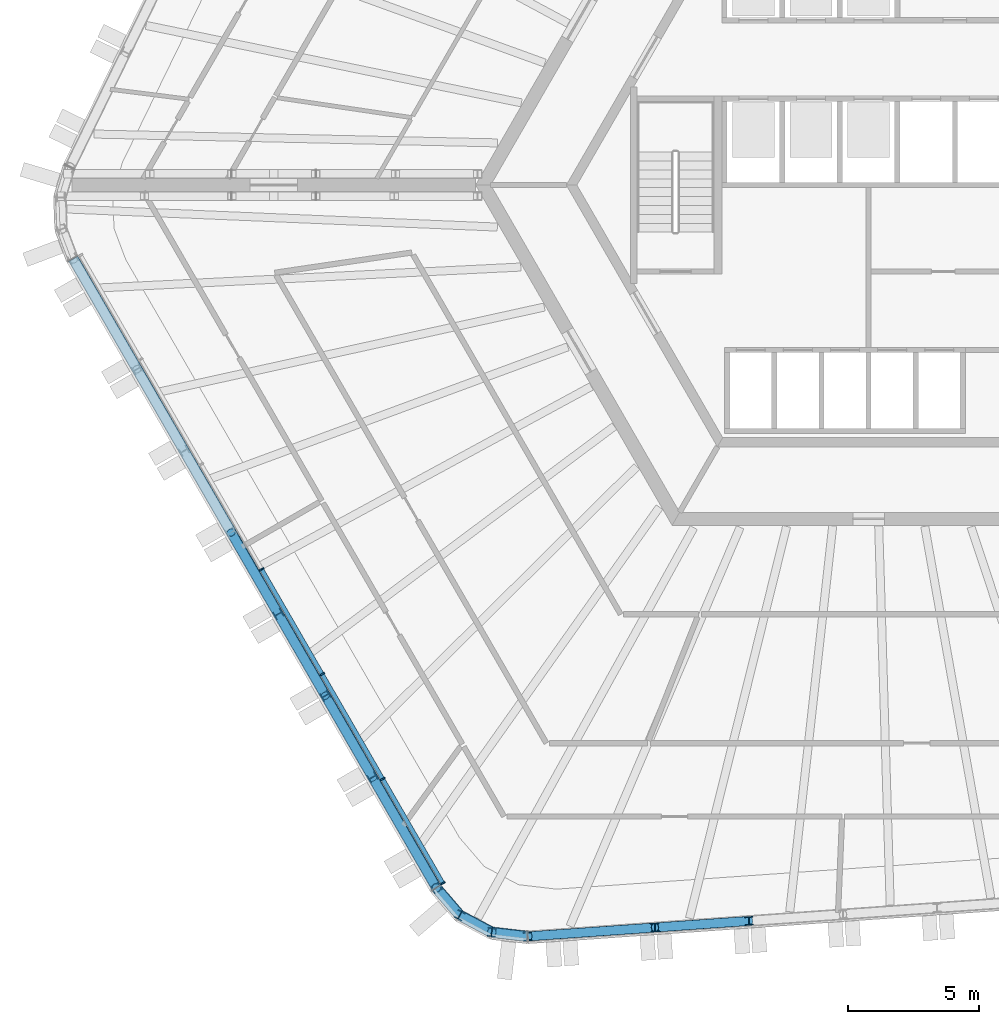
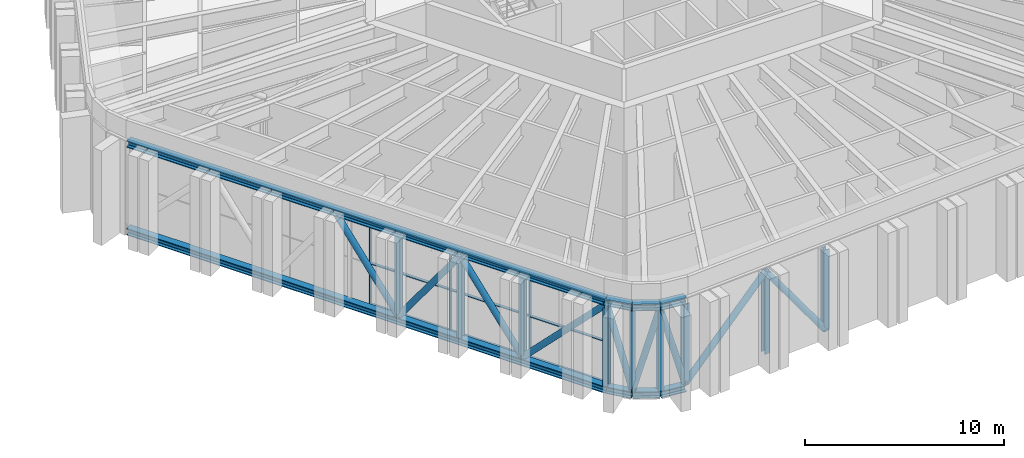
# One storey, part 1 of 24: 39 members, 1 element without a shape of its own.
"""IFC4 building model written with IfcOpenShell, lengths in metres."""

from ifc_helpers import new_model, si_unit, direction, frame, origin, origin_2d, place, context, subcontext, project, spatial, rectangle, hollow_circle, i_section, extrude, material, material_profile, profile_set, type_object, element, aggregate, save


model = new_model("IFC4")

# Units and contexts
model_context = context("Model", 3, precision=1e-05, world=origin(), true_north=direction((0.0, 1.0)))
body_context = subcontext(model_context, "Body", "Model", "MODEL_VIEW")
ifc_project = project(units=[si_unit("LENGTHUNIT", "METRE"), si_unit("AREAUNIT", "SQUARE_METRE"), si_unit("VOLUMEUNIT", "CUBIC_METRE"), si_unit("PLANEANGLEUNIT", "RADIAN"), si_unit("MASSUNIT", "GRAM", prefix="KILO")], contexts=[model_context])

# Site, building, storey
site_placement = place(None, origin())
site = spatial("IfcSite", under=ifc_project, at=site_placement, CompositionType="ELEMENT")
building_placement = place(site_placement, origin())
building = spatial("IfcBuilding", under=site, at=building_placement, Name="Tarnside Tower", CompositionType="ELEMENT")
storey_placement = place(building_placement, frame((0.0, 0.0, 250.199951171875)))
storey = spatial("IfcBuildingStorey", under=building, at=storey_placement, Name="L60", CompositionType="ELEMENT", Elevation=250.199951171875)

# Curtain wall, members
ifc_material_1 = material(Name="Sky lobby glazing wall", Category="glass")
curtain_wall_type = type_object("IfcCurtainWallType", Name="Sky lobby glazing wall", PredefinedType="NOTDEFINED", material=ifc_material_1)
curtain_wall_placement = place(storey_placement, origin())
curtain_wall = element("IfcCurtainWall", 1, at=curtain_wall_placement, inside=storey, type_object=curtain_wall_type, Name="Sky lobby glazing L60 F3", PredefinedType="NOTDEFINED")
ifc_material_2 = material(Name="Aluminium alloy 6063", Category="aluminium")
ifc_material_profile_1 = material_profile(ifc_material_2, rectangle(XDim=0.199951171875, YDim=0.06005859375, at=origin_2d()), Name="Sky lobby glazing mullion 60 x 200")
ifc_profile_set_1 = profile_set([ifc_material_profile_1], Name="Aluminium alloy 6063")
member_type_1 = type_object("IfcMemberType", Name="Sky lobby glazing mullion 60 x 200", PredefinedType="MULLION", material=ifc_profile_set_1)
member_1_placement = place(storey_placement, frame((-23.188720703125, -14.678955078125, 0.0), z_axis=(0.0, 0.0, 1.0), x_axis=(0.866025403784, 0.5, 0.0)))
member_1 = element("IfcMember", 2, at=member_1_placement, type_object=member_type_1, Name="CW4 mullion 4", PredefinedType="MULLION", context=body_context, shape_type="SweptSolid", body=[
    extrude(rectangle(XDim=0.199951171875, YDim=0.06005859375, at=origin_2d()), origin(), (0.0, 0.0, 1.0), 5.0810546875),
])
member_2_placement = place(storey_placement, frame((-20.87548828125, -18.685302734375, 0.0), z_axis=(0.0, 0.0, 1.0), x_axis=(0.866025403784, 0.5, 0.0)))
member_2 = element("IfcMember", 3, at=member_2_placement, type_object=member_type_1, Name="CW4 mullion 5", PredefinedType="MULLION", context=body_context, shape_type="SweptSolid", body=[
    extrude(rectangle(XDim=0.199951171875, YDim=0.06005859375, at=origin_2d()), origin(), (0.0, 0.0, 1.0), 5.0810546875),
])
member_3_placement = place(storey_placement, frame((-18.5625, -22.69189453125, 0.0), z_axis=(0.0, 0.0, 1.0), x_axis=(0.866025403784, 0.5, 0.0)))
member_3 = element("IfcMember", 4, at=member_3_placement, type_object=member_type_1, Name="CW4 mullion 6", PredefinedType="MULLION", context=body_context, shape_type="SweptSolid", body=[
    extrude(rectangle(XDim=0.199951171875, YDim=0.06005859375, at=origin_2d()), origin(), (0.0, 0.0, 1.0), 5.0810546875),
])
member_4_placement = place(storey_placement, frame((-16.264404296875, -26.67236328125, 0.0), z_axis=(0.0, 0.0, 1.0), x_axis=(0.866025403784, 0.5, 0.0)))
member_4 = element("IfcMember", 5, at=member_4_placement, type_object=member_type_1, Name="CW4 mullion 7", PredefinedType="MULLION", context=body_context, shape_type="SweptSolid", body=[
    extrude(rectangle(XDim=0.199951171875, YDim=0.06005859375, at=origin_2d()), origin(), (0.0, 0.0, 1.0), 5.0810546875),
])
ifc_material_profile_2 = material_profile(ifc_material_2, rectangle(XDim=0.159912109375, YDim=0.06005859375, at=origin_2d()), Name="Sky lobby glazing transom 60 x 160")
ifc_profile_set_2 = profile_set([ifc_material_profile_2], Name="Aluminium alloy 6063")
member_type_2 = type_object("IfcMemberType", Name="Sky lobby glazing transom 60 x 160", PredefinedType="USERDEFINED", material=ifc_profile_set_2)
member_5_placement = place(storey_placement, frame((-23.173828125, -14.704833984375, 0.030029296875), z_axis=(0.500003221507, -0.866023543838, 0.0), x_axis=(0.866023543838, 0.500003221507, 0.0)))
member_5 = element("IfcMember", 6, at=member_5_placement, type_object=member_type_2, Name="CW4 transom 4.1", ObjectType="TRANSOM", PredefinedType="USERDEFINED", context=body_context, shape_type="SweptSolid", body=[
    extrude(rectangle(XDim=0.159912109375, YDim=0.06005859375, at=origin_2d()), origin(), (0.0, 0.0, 1.0), 4.56640625),
])
member_6_placement = place(storey_placement, frame((-23.173828125, -14.704833984375, 2.54052734375), z_axis=(0.500003221507, -0.866023543838, 0.0), x_axis=(0.866023543838, 0.500003221507, 0.0)))
member_6 = element("IfcMember", 7, at=member_6_placement, type_object=member_type_2, Name="CW4 transom 4.2", ObjectType="TRANSOM", PredefinedType="USERDEFINED", context=body_context, shape_type="SweptSolid", body=[
    extrude(rectangle(XDim=0.159912109375, YDim=0.06005859375, at=origin_2d()), origin(), (0.0, 0.0, 1.0), 4.56640625),
])
member_7_placement = place(storey_placement, frame((-23.173828125, -14.704833984375, 5.051025390625), z_axis=(0.500003221507, -0.866023543838, 0.0), x_axis=(0.866023543838, 0.500003221507, 0.0)))
member_7 = element("IfcMember", 8, at=member_7_placement, type_object=member_type_2, Name="CW4 transom 4.3", ObjectType="TRANSOM", PredefinedType="USERDEFINED", context=body_context, shape_type="SweptSolid", body=[
    extrude(rectangle(XDim=0.159912109375, YDim=0.06005859375, at=origin_2d()), origin(), (0.0, 0.0, 1.0), 4.56640625),
])
member_8_placement = place(storey_placement, frame((-20.860595703125, -18.71142578125, 0.030029296875), z_axis=(0.500003221507, -0.866023543838, 0.0), x_axis=(0.866023543838, 0.500003221507, 0.0)))
member_8 = element("IfcMember", 9, at=member_8_placement, type_object=member_type_2, Name="CW4 transom 5.1", ObjectType="TRANSOM", PredefinedType="USERDEFINED", context=body_context, shape_type="SweptSolid", body=[
    extrude(rectangle(XDim=0.159912109375, YDim=0.06005859375, at=origin_2d()), origin(), (0.0, 0.0, 1.0), 4.56640625),
])
member_9_placement = place(storey_placement, frame((-20.860595703125, -18.71142578125, 2.54052734375), z_axis=(0.500003221507, -0.866023543838, 0.0), x_axis=(0.866023543838, 0.500003221507, 0.0)))
member_9 = element("IfcMember", 10, at=member_9_placement, type_object=member_type_2, Name="CW4 transom 5.2", ObjectType="TRANSOM", PredefinedType="USERDEFINED", context=body_context, shape_type="SweptSolid", body=[
    extrude(rectangle(XDim=0.159912109375, YDim=0.06005859375, at=origin_2d()), origin(), (0.0, 0.0, 1.0), 4.56640625),
])
member_10_placement = place(storey_placement, frame((-20.860595703125, -18.71142578125, 5.051025390625), z_axis=(0.500003221507, -0.866023543838, 0.0), x_axis=(0.866023543838, 0.500003221507, 0.0)))
member_10 = element("IfcMember", 11, at=member_10_placement, type_object=member_type_2, Name="CW4 transom 5.3", ObjectType="TRANSOM", PredefinedType="USERDEFINED", context=body_context, shape_type="SweptSolid", body=[
    extrude(rectangle(XDim=0.159912109375, YDim=0.06005859375, at=origin_2d()), origin(), (0.0, 0.0, 1.0), 4.56640625),
])
member_11_placement = place(storey_placement, frame((-18.54736328125, -22.7177734375, 0.030029296875), z_axis=(0.499970916434, -0.866042194538, 0.0), x_axis=(0.866042194538, 0.499970916434, 0.0)))
member_11 = element("IfcMember", 12, at=member_11_placement, type_object=member_type_2, Name="CW4 transom 6.1", ObjectType="TRANSOM", PredefinedType="USERDEFINED", context=body_context, shape_type="SweptSolid", body=[
    extrude(rectangle(XDim=0.159912109375, YDim=0.06005859375, at=origin_2d()), origin(), (0.0, 0.0, 1.0), 4.536376953125),
])
member_12_placement = place(storey_placement, frame((-18.54736328125, -22.7177734375, 2.54052734375), z_axis=(0.499970916434, -0.866042194538, 0.0), x_axis=(0.866042194538, 0.499970916434, 0.0)))
member_12 = element("IfcMember", 13, at=member_12_placement, type_object=member_type_2, Name="CW4 transom 6.2", ObjectType="TRANSOM", PredefinedType="USERDEFINED", context=body_context, shape_type="SweptSolid", body=[
    extrude(rectangle(XDim=0.159912109375, YDim=0.06005859375, at=origin_2d()), origin(), (0.0, 0.0, 1.0), 4.536376953125),
])
member_13_placement = place(storey_placement, frame((-18.54736328125, -22.7177734375, 5.051025390625), z_axis=(0.499970916434, -0.866042194538, 0.0), x_axis=(0.866042194538, 0.499970916434, 0.0)))
member_13 = element("IfcMember", 14, at=member_13_placement, type_object=member_type_2, Name="CW4 transom 6.3", ObjectType="TRANSOM", PredefinedType="USERDEFINED", context=body_context, shape_type="SweptSolid", body=[
    extrude(rectangle(XDim=0.159912109375, YDim=0.06005859375, at=origin_2d()), origin(), (0.0, 0.0, 1.0), 4.536376953125),
])
aggregate(curtain_wall, [member_1, member_2, member_3, member_4, member_5, member_6, member_7, member_8, member_9, member_10, member_11, member_12, member_13])

# Members
ifc_material_3 = material(Name="Steel S355", Category="steel")
ifc_material_profile_3 = material_profile(ifc_material_3, i_section(OverallWidth=0.403076171875, OverallDepth=0.406494140625, WebThickness=0.026611328125, FlangeThickness=0.04296875, FilletRadius=0.01513671875, at=origin_2d()), Name="UC 356x406x340")
ifc_profile_set_3 = profile_set([ifc_material_profile_3], Name="Steel S355")
member_type_3 = type_object("IfcMemberType", Name="Truss chord UC 356x406x340", PredefinedType="CHORD", material=ifc_profile_set_3)
member_14_placement = place(storey_placement, frame((-30.39111328125, -2.81103515625, -0.0966796875), z_axis=(0.499998569178, -0.866026229868, 0.0), x_axis=(0.866026229868, 0.499998569178, 0.0)))
element("IfcMember", 15, at=member_14_placement, inside=storey, type_object=member_type_3, Name="Belt truss bottom chord L60 run", PredefinedType="CHORD", context=body_context, shape_type="SweptSolid", body=[
    extrude(i_section(OverallWidth=0.403076171875, OverallDepth=0.406494140625, WebThickness=0.026611328125, FlangeThickness=0.04296875, FilletRadius=0.01513671875, at=origin_2d()), origin(), (0.0, 0.0, 1.0), 27.7578125),
])
for number, where, z_axis, x_axis, name in (
    (16, (-16.51220703125, -26.85009765625, -0.0966796875), (0.651709457909, -0.75846870896, 0.0), (0.75846870896, 0.651709457909, 0.0), "Belt truss bottom chord L60 corner3.1"),
    (17, (-15.613525390625, -27.89599609375, -0.0966796875), (0.882920799987, -0.469521949381, 0.0), (0.469521949381, 0.882920799987, 0.0), "Belt truss bottom chord L60 corner3.2"),
    (18, (-14.39599609375, -28.54345703125, -0.0966796875), (0.993232537394, -0.11614269956, 0.0), (0.11614269956, 0.993232537394, 0.0), "Belt truss bottom chord L60 corner3.3"),
):
    element("IfcMember", number, at=place(storey_placement, frame(where, z_axis=z_axis, x_axis=x_axis)), inside=storey, type_object=member_type_3, Name=name, PredefinedType="CHORD", context=body_context, shape_type="SweptSolid", body=[
        extrude(i_section(OverallWidth=0.403076171875, OverallDepth=0.406494140625, WebThickness=0.026611328125, FlangeThickness=0.04296875, FilletRadius=0.01513671875, at=origin_2d()), origin(), (0.0, 0.0, 1.0), 1.37890625),
    ])
ifc_material_profile_4 = material_profile(ifc_material_3, i_section(OverallWidth=0.406982421875, OverallDepth=0.4189453125, WebThickness=0.030517578125, FlangeThickness=0.04931640625, FilletRadius=0.01513671875, at=origin_2d()), Name="UC 356x406x393")
ifc_profile_set_4 = profile_set([ifc_material_profile_4], Name="Steel S355")
member_type_4 = type_object("IfcMemberType", Name="Truss chord UC 356x406x393", PredefinedType="CHORD", material=ifc_profile_set_4)
member_15_placement = place(storey_placement, frame((-30.39111328125, -2.81103515625, 5.29052734375), z_axis=(0.499998569178, -0.866026229868, 0.0), x_axis=(0.866026229868, 0.499998569178, 0.0)))
element("IfcMember", 19, at=member_15_placement, inside=storey, type_object=member_type_4, Name="Belt truss top chord L60 run", PredefinedType="CHORD", context=body_context, shape_type="SweptSolid", body=[
    extrude(i_section(OverallWidth=0.406982421875, OverallDepth=0.4189453125, WebThickness=0.030517578125, FlangeThickness=0.04931640625, FilletRadius=0.01513671875, at=origin_2d()), origin(), (0.0, 0.0, 1.0), 27.7578125),
])
for number, where, z_axis, x_axis, name in (
    (20, (-16.51220703125, -26.85009765625, 5.29052734375), (0.651709457909, -0.75846870896, 0.0), (0.75846870896, 0.651709457909, 0.0), "Belt truss top chord L60 corner3.1"),
    (21, (-15.613525390625, -27.89599609375, 5.29052734375), (0.882920799987, -0.469521949381, 0.0), (0.469521949381, 0.882920799987, 0.0), "Belt truss top chord L60 corner3.2"),
    (22, (-14.39599609375, -28.54345703125, 5.29052734375), (0.993232537394, -0.11614269956, 0.0), (0.11614269956, 0.993232537394, 0.0), "Belt truss top chord L60 corner3.3"),
):
    element("IfcMember", number, at=place(storey_placement, frame(where, z_axis=z_axis, x_axis=x_axis)), inside=storey, type_object=member_type_4, Name=name, PredefinedType="CHORD", context=body_context, shape_type="SweptSolid", body=[
        extrude(i_section(OverallWidth=0.406982421875, OverallDepth=0.4189453125, WebThickness=0.030517578125, FlangeThickness=0.04931640625, FilletRadius=0.01513671875, at=origin_2d()), origin(), (0.0, 0.0, 1.0), 1.37890625),
    ])
ifc_material_profile_5 = material_profile(ifc_material_3, hollow_circle(Radius=0.177734375, WallThickness=0.01611328125, at=origin_2d()), Name="CHS 355.6x16")
ifc_profile_set_5 = profile_set([ifc_material_profile_5], Name="Steel S355")
member_type_5 = type_object("IfcMemberType", Name="Truss diagonal CHS 355.6x16", PredefinedType="BRACE", material=ifc_profile_set_5)
for number, where, z_axis, x_axis, name in (
    (23, (-24.3515625, -13.271728515625, 5.0810546875), (0.2931395064, -0.507716193779, -0.810119433394), (0.866018442252, 0.500012057535, 0.0), "Belt truss diagonal L60 24"),
    (24, (-22.551513671875, -16.389404296875, 0.1064453125), (0.293103163733, -0.507722110807, 0.810128874691), (0.866047807691, 0.499961193289, 0.0), "Belt truss diagonal L60 25"),
    (25, (-20.751708984375, -19.507080078125, 5.0810546875), (0.2931395064, -0.507716193779, -0.810119433394), (0.866018442252, 0.500012057535, 0.0), "Belt truss diagonal L60 26"),
):
    element("IfcMember", number, at=place(storey_placement, frame(where, z_axis=z_axis, x_axis=x_axis)), inside=storey, type_object=member_type_5, Name=name, PredefinedType="BRACE", context=body_context, shape_type="SweptSolid", body=[
        extrude(hollow_circle(Radius=0.177734375, WallThickness=0.01611328125, at=origin_2d()), origin(), (0.0, 0.0, 1.0), 6.140625),
    ])
member_16_placement = place(storey_placement, frame((-18.95166015625, -22.624755859375, 0.1064453125), z_axis=(0.350100368534, -0.606403830887, 0.713935659453), x_axis=(0.866029761307, 0.499992452474, 0.0)))
element("IfcMember", 26, at=member_16_placement, inside=storey, type_object=member_type_5, Name="Belt truss diagonal L60 27", PredefinedType="BRACE", context=body_context, shape_type="SweptSolid", body=[
    extrude(hollow_circle(Radius=0.177734375, WallThickness=0.01611328125, at=origin_2d()), origin(), (0.0, 0.0, 1.0), 6.9677734375),
])
for number, where, z_axis, x_axis, name in (
    (27, (-16.51220703125, -26.85009765625, 5.0810546875), (0.174089009395, -0.202607257878, -0.963661411421), (0.75846870896, 0.651709457909, 0.0), "Belt truss diagonal L60 28"),
    (28, (-15.613525390625, -27.89599609375, 0.1064453125), (0.235854675016, -0.125423420522, 0.963660488895), (0.469521949381, 0.882920799987, 0.0), "Belt truss diagonal L60 29"),
    (29, (-14.39599609375, -28.54345703125, 5.0810546875), (0.265319022536, -0.031024826878, -0.963661390945), (0.11614269956, 0.993232537394, 0.0), "Belt truss diagonal L60 30"),
):
    element("IfcMember", number, at=place(storey_placement, frame(where, z_axis=z_axis, x_axis=x_axis)), inside=storey, type_object=member_type_5, Name=name, PredefinedType="BRACE", context=body_context, shape_type="SweptSolid", body=[
        extrude(hollow_circle(Radius=0.177734375, WallThickness=0.01611328125, at=origin_2d()), origin(), (0.0, 0.0, 1.0), 5.162109375),
    ])
member_17_placement = place(storey_placement, frame((-13.0263671875, -28.70361328125, 0.1064453125), z_axis=(0.69851247017, 0.048842615541, 0.713929077657), x_axis=(-0.069753440097, 0.997564262388, 0.0)))
element("IfcMember", 30, at=member_17_placement, inside=storey, type_object=member_type_5, Name="Belt truss diagonal L60 31", PredefinedType="BRACE", context=body_context, shape_type="SweptSolid", body=[
    extrude(hollow_circle(Radius=0.177734375, WallThickness=0.01611328125, at=origin_2d()), origin(), (0.0, 0.0, 1.0), 6.968017578125),
])
member_18_placement = place(storey_placement, frame((-8.1591796875, -28.36328125, 5.0810546875), z_axis=(0.584817426731, 0.040912171603, -0.810132564218), x_axis=(-0.06978660948, 0.997561942506, 0.0)))
element("IfcMember", 31, at=member_18_placement, inside=storey, type_object=member_type_5, Name="Belt truss diagonal L60 32", PredefinedType="BRACE", context=body_context, shape_type="SweptSolid", body=[
    extrude(hollow_circle(Radius=0.177734375, WallThickness=0.01611328125, at=origin_2d()), origin(), (0.0, 0.0, 1.0), 6.140380859375),
])
ifc_material_profile_6 = material_profile(ifc_material_3, i_section(OverallWidth=0.311279296875, OverallDepth=0.3271484375, WebThickness=0.015869140625, FlangeThickness=0.02490234375, FilletRadius=0.01513671875, at=origin_2d()), Name="UC 305x305x158")
ifc_profile_set_6 = profile_set([ifc_material_profile_6], Name="Steel S355")
member_type_6 = type_object("IfcMemberType", Name="Truss post UC 305x305x158", PredefinedType="POST", material=ifc_profile_set_6)
for number, where, z_axis, x_axis, name in (
    (32, (-22.551513671875, -16.389404296875, 0.1064453125), (0.0, 0.0, 1.0), (0.5, -0.866025403784, 0.0), "Belt truss post L60 25"),
    (33, (-20.751708984375, -19.507080078125, 0.1064453125), (0.0, 0.0, 1.0), (0.5, -0.866025403784, 0.0), "Belt truss post L60 26"),
    (34, (-18.95166015625, -22.624755859375, 0.1064453125), (0.0, 0.0, 1.0), (0.5, -0.866025403784, 0.0), "Belt truss post L60 27"),
    (35, (-16.51220703125, -26.85009765625, 0.1064453125), (0.0, 0.0, 1.0), (0.5, -0.866025403784, 0.0), "Belt truss post L60 28"),
    (36, (-15.613525390625, -27.89599609375, 0.1064453125), (0.0, 0.0, 1.0), (0.882947592859, -0.469471562786, 0.0), "Belt truss post L60 29"),
    (37, (-14.39599609375, -28.54345703125, 0.1064453125), (0.0, 0.0, 1.0), (0.993238357741, -0.116092914131, 0.0), "Belt truss post L60 30"),
    (38, (-13.0263671875, -28.70361328125, 0.1064453125), (0.0, 0.0, 1.0), (0.99756405026, 0.069756473744, 0.0), "Belt truss post L60 31"),
    (39, (-8.1591796875, -28.36328125, 0.1064453125), (0.0, 0.0, 1.0), (0.99756405026, 0.069756473744, 0.0), "Belt truss post L60 32"),
    (40, (-4.568115234375, -28.112060546875, 0.1064453125), (0.0, 0.0, 1.0), (0.99756405026, 0.069756473744, 0.0), "Belt truss post L60 33"),
):
    element("IfcMember", number, at=place(storey_placement, frame(where, z_axis=z_axis, x_axis=x_axis)), inside=storey, type_object=member_type_6, Name=name, PredefinedType="POST", context=body_context, shape_type="SweptSolid", body=[
        extrude(i_section(OverallWidth=0.311279296875, OverallDepth=0.3271484375, WebThickness=0.015869140625, FlangeThickness=0.02490234375, FilletRadius=0.01513671875, at=origin_2d()), origin(), (0.0, 0.0, 1.0), 4.974609375),
    ])

save(model, "model.ifc")
